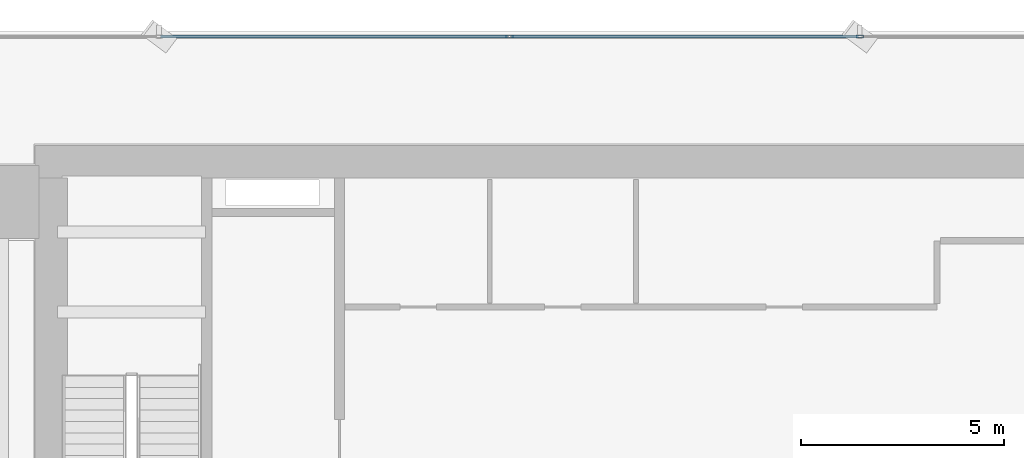
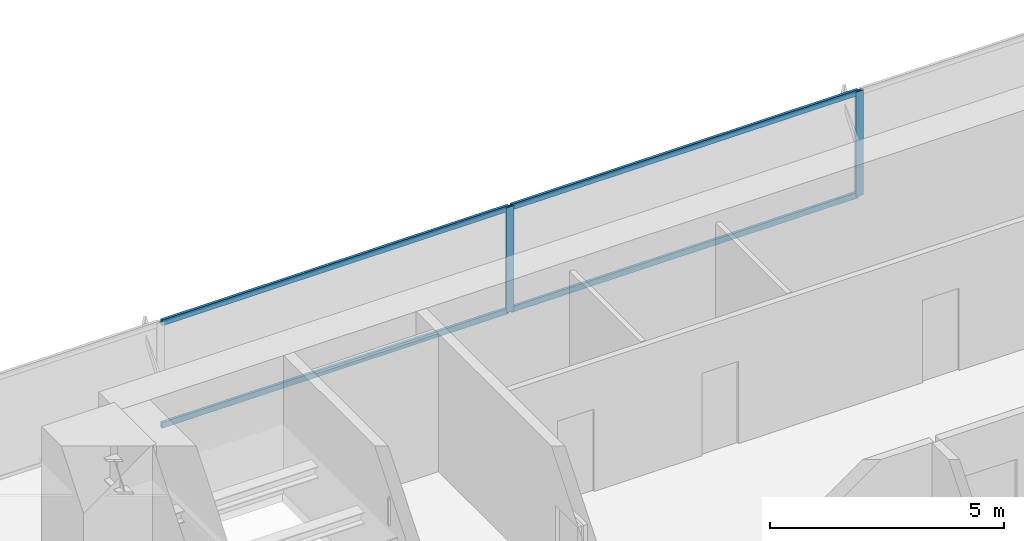
# One storey, part 19 of 33: 6 members, 1 element without a shape of its own.
"""IFC4 building model written with IfcOpenShell, lengths in metres."""

from ifc_helpers import new_model, si_unit, direction, frame, origin, origin_2d, place, context, subcontext, project, spatial, hollow_rectangle, extrude, source, transform, mapped, material, layer, layer_set, material_profile, profile_set, type_object, element, aggregate, save


model = new_model("IFC4")

# Units and contexts
model_context = context("Model", 3, precision=1e-05, world=origin(), true_north=direction((0.0, 1.0)))
body_context = subcontext(model_context, "Body", "Model", "MODEL_VIEW")
ifc_project = project(units=[si_unit("LENGTHUNIT", "METRE"), si_unit("AREAUNIT", "SQUARE_METRE"), si_unit("VOLUMEUNIT", "CUBIC_METRE"), si_unit("PLANEANGLEUNIT", "RADIAN"), si_unit("MASSUNIT", "GRAM", prefix="KILO")], contexts=[model_context])

# Site, building, storey
site_placement = place(None, origin())
site = spatial("IfcSite", under=ifc_project, at=site_placement, CompositionType="ELEMENT")
building_placement = place(site_placement, origin())
building = spatial("IfcBuilding", under=site, at=building_placement, Name="Sumidabori Civic Tower", CompositionType="ELEMENT")
storey_placement = place(building_placement, frame((0.0, 0.0, 63.199951171875)))
storey = spatial("IfcBuildingStorey", under=building, at=storey_placement, Name="L16", CompositionType="ELEMENT", Elevation=63.199951171875)

# Curtain wall, members
ifc_material = material(Name="Anodised Bronze Aluminium AW-6063-T6", Category="aluminium")
ifc_layer = layer(ifc_material, 0.179931640625, Name="Anodised Bronze Aluminium AW-6063-T6")
ifc_layer_set = layer_set([ifc_layer], Name="Anodised Bronze Aluminium AW-6063-T6")
curtain_wall_type = type_object("IfcCurtainWallType", Name="CW-SYS-2", PredefinedType="NOTDEFINED", material=ifc_layer_set)
curtain_wall_placement = place(storey_placement, origin())
curtain_wall = element("IfcCurtainWall", 1, at=curtain_wall_placement, inside=storey, type_object=curtain_wall_type, Name="Curtain Wall CW:L16:R07", PredefinedType="NOTDEFINED")
ifc_material_profile_1 = material_profile(ifc_material, hollow_rectangle(XDim=0.070068359375, YDim=0.179931640625, WallThickness=0.006103515625, at=origin_2d()), Name="ALU MULLION 180x70")
ifc_profile_set_1 = profile_set([ifc_material_profile_1], Name="Anodised Bronze Aluminium AW-6063-T6")
member_type_1 = type_object("IfcMemberType", Name="CW-MUL-180", PredefinedType="MULLION", material=ifc_profile_set_1)
shared_shape_1 = source(origin(), body_context, "Body", "SweptSolid", [
    extrude(hollow_rectangle(XDim=0.070068359375, YDim=0.179931640625, WallThickness=0.006103515625, at=origin_2d()), origin(), (0.0, 0.0, 1.0), 2.739990234375),
])
member_1_placement = place(storey_placement, frame((4.31396484375, 26.8798828125, 0.0), z_axis=(0.0, 0.0, 1.0), x_axis=(0.0, -1.0, 0.0)))
member_1 = element("IfcMember", 2, at=member_1_placement, type_object=member_type_1, Name="CW-2 mullion 3", PredefinedType="MULLION", context=body_context, shape_type="MappedRepresentation", body=[
    mapped(shared_shape_1, transform((0.0, 0.0, 0.0), x_axis=(1.0, 0.0, 0.0), y_axis=(0.0, 1.0, 0.0), z_axis=(0.0, 0.0, 1.0), scale=1.0)),
])
member_2_placement = place(storey_placement, frame((-4.31396484375, 26.8798828125, 0.0), z_axis=(0.0, 0.0, 1.0), x_axis=(0.0, -1.0, 0.0)))
member_2 = element("IfcMember", 3, at=member_2_placement, type_object=member_type_1, Name="CW-2 mullion 4", PredefinedType="MULLION", context=body_context, shape_type="MappedRepresentation", body=[
    mapped(shared_shape_1, transform((0.0, 0.0, 0.0), x_axis=(1.0, 0.0, 0.0), y_axis=(0.0, 1.0, 0.0), z_axis=(0.0, 0.0, 1.0), scale=1.0)),
])
ifc_material_profile_2 = material_profile(ifc_material, hollow_rectangle(XDim=0.06494140625, YDim=0.14990234375, WallThickness=0.0048828125, at=origin_2d()), Name="ALU TRANSOM 150x65")
ifc_profile_set_2 = profile_set([ifc_material_profile_2], Name="Anodised Bronze Aluminium AW-6063-T6")
member_type_2 = type_object("IfcMemberType", Name="CW-TRN-150", PredefinedType="USERDEFINED", material=ifc_profile_set_2)
shared_shape_2 = source(origin(), body_context, "Body", "SweptSolid", [
    extrude(hollow_rectangle(XDim=0.06494140625, YDim=0.14990234375, WallThickness=0.0048828125, at=origin_2d()), origin(), (0.0, 0.0, 1.0), 8.557861328125),
])
member_3_placement = place(storey_placement, frame((-4.34912109375, 26.8798828125, 0.032470703125), z_axis=(-1.0, 0.0, 0.0), x_axis=(0.0, -1.0, 0.0)))
member_3 = element("IfcMember", 4, at=member_3_placement, type_object=member_type_2, Name="CW-2 transom 4.1", ObjectType="TRANSOM", PredefinedType="USERDEFINED", context=body_context, shape_type="MappedRepresentation", body=[
    mapped(shared_shape_2, transform((0.0, 0.0, 0.0), x_axis=(1.0, 0.0, 0.0), y_axis=(0.0, 1.0, 0.0), z_axis=(0.0, 0.0, 1.0), scale=1.0)),
])
member_4_placement = place(storey_placement, frame((-4.34912109375, 26.8798828125, 2.70751953125), z_axis=(-1.0, 0.0, 0.0), x_axis=(0.0, -1.0, 0.0)))
member_4 = element("IfcMember", 5, at=member_4_placement, type_object=member_type_2, Name="CW-2 transom 4.2", ObjectType="TRANSOM", PredefinedType="USERDEFINED", context=body_context, shape_type="MappedRepresentation", body=[
    mapped(shared_shape_2, transform((0.0, 0.0, 0.0), x_axis=(1.0, 0.0, 0.0), y_axis=(0.0, 1.0, 0.0), z_axis=(0.0, 0.0, 1.0), scale=1.0)),
])
shared_shape_3 = source(origin(), body_context, "Body", "SweptSolid", [
    extrude(hollow_rectangle(XDim=0.06494140625, YDim=0.14990234375, WallThickness=0.0048828125, at=origin_2d()), origin(), (0.0, 0.0, 1.0), 8.55810546875),
])
member_5_placement = place(storey_placement, frame((4.279052734375, 26.8798828125, 0.032470703125), z_axis=(-1.0, 0.0, 0.0), x_axis=(0.0, -1.0, 0.0)))
member_5 = element("IfcMember", 6, at=member_5_placement, type_object=member_type_2, Name="CW-2 transom 3.1", ObjectType="TRANSOM", PredefinedType="USERDEFINED", context=body_context, shape_type="MappedRepresentation", body=[
    mapped(shared_shape_3, transform((0.0, 0.0, 0.0), x_axis=(1.0, 0.0, 0.0), y_axis=(0.0, 1.0, 0.0), z_axis=(0.0, 0.0, 1.0), scale=1.0)),
])
member_6_placement = place(storey_placement, frame((4.279052734375, 26.8798828125, 2.70751953125), z_axis=(-1.0, 0.0, 0.0), x_axis=(0.0, -1.0, 0.0)))
member_6 = element("IfcMember", 7, at=member_6_placement, type_object=member_type_2, Name="CW-2 transom 3.2", ObjectType="TRANSOM", PredefinedType="USERDEFINED", context=body_context, shape_type="MappedRepresentation", body=[
    mapped(shared_shape_3, transform((0.0, 0.0, 0.0), x_axis=(1.0, 0.0, 0.0), y_axis=(0.0, 1.0, 0.0), z_axis=(0.0, 0.0, 1.0), scale=1.0)),
])
aggregate(curtain_wall, [member_1, member_2, member_5, member_6, member_3, member_4])

save(model, "model.ifc")
